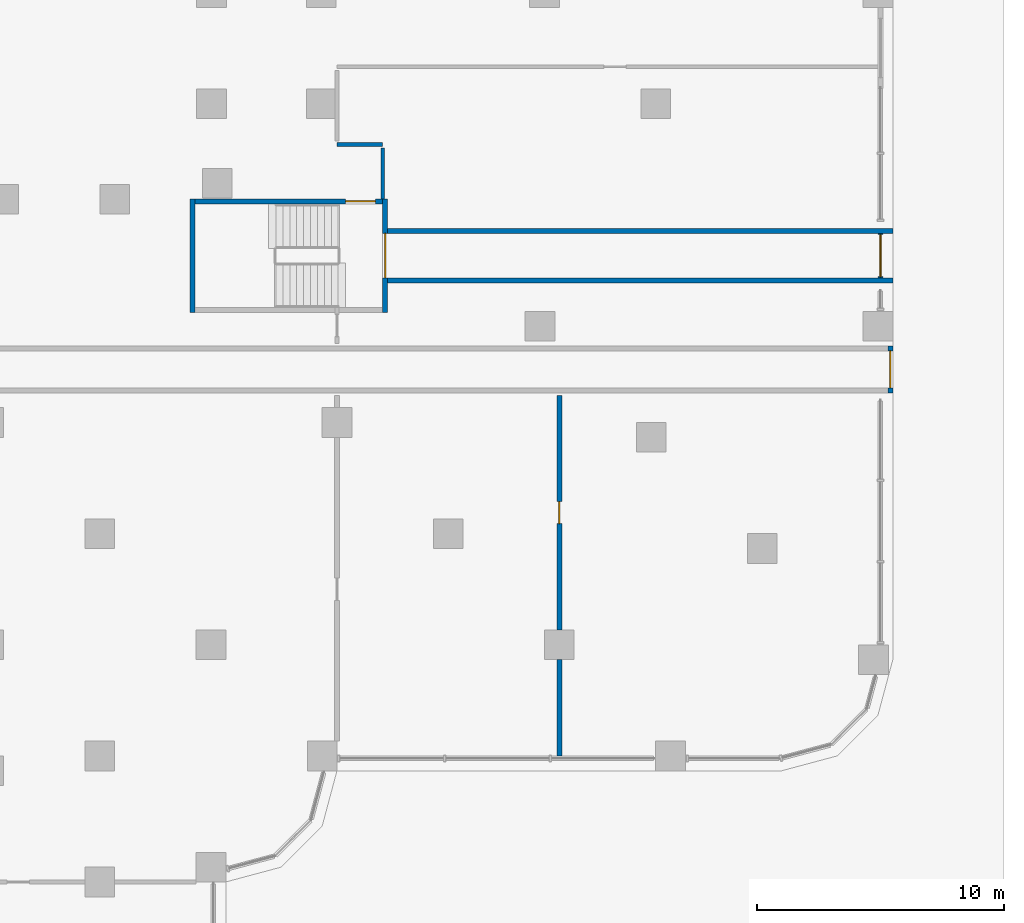
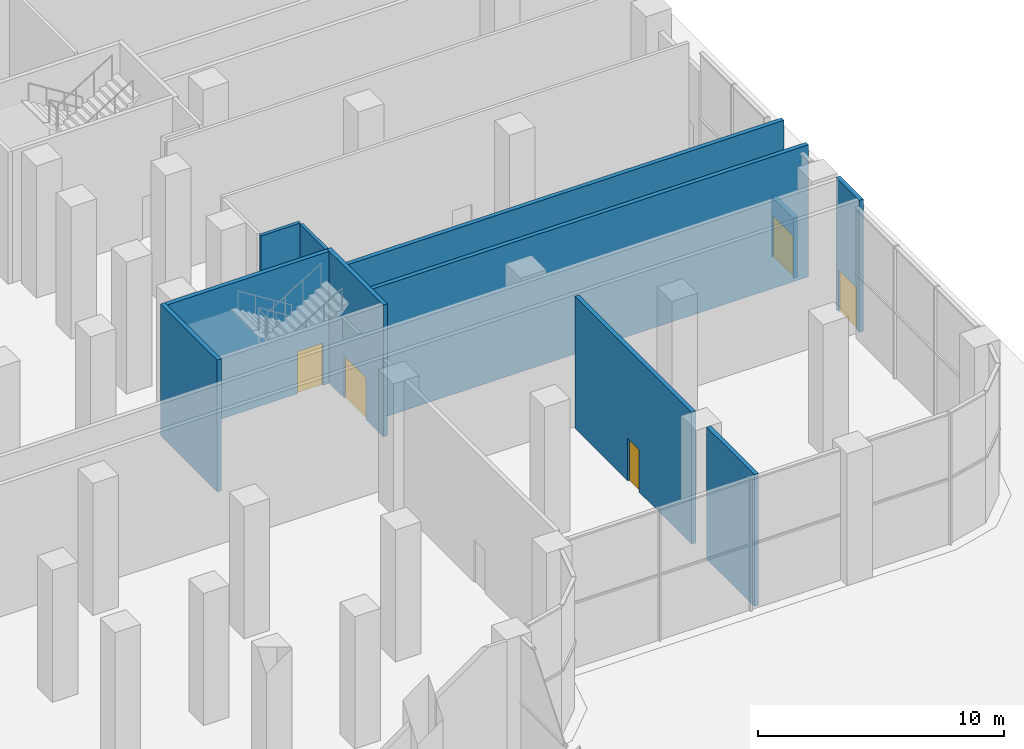
# One storey, part 23 of 34: 11 walls, 5 doors, 5 openings.
"""IFC4 building model written with IfcOpenShell, lengths in metres."""

from ifc_helpers import new_model, si_unit, direction, frame, frame_2d, origin, place, context, subcontext, project, spatial, rectangle, extrude, material, layer, layer_set, type_object, element, fill, save


model = new_model("IFC4")

# Units and contexts
model_context = context("Model", 3, precision=1e-05, world=origin(), true_north=direction((0.0, 1.0)))
body_context = subcontext(model_context, "Body", "Model", "MODEL_VIEW")
ifc_project = project(units=[si_unit("LENGTHUNIT", "METRE"), si_unit("AREAUNIT", "SQUARE_METRE"), si_unit("VOLUMEUNIT", "CUBIC_METRE"), si_unit("PLANEANGLEUNIT", "RADIAN"), si_unit("MASSUNIT", "GRAM", prefix="KILO")], contexts=[model_context])

# Site, building, storey
site_placement = place(None, origin())
site = spatial("IfcSite", under=ifc_project, at=site_placement, CompositionType="ELEMENT")
building_placement = place(site_placement, origin())
building = spatial("IfcBuilding", under=site, at=building_placement, Name="Zarbagh Exchange Tower", CompositionType="ELEMENT")
storey_placement = place(building_placement, origin())
storey = spatial("IfcBuildingStorey", under=building, at=storey_placement, Name="L00", CompositionType="ELEMENT", Elevation=0.0)

# Walls
ifc_material_1 = material(Name="Plasterboard partition")
ifc_layer_1 = layer(ifc_material_1, 0.14990234375)
ifc_layer_set_1 = layer_set([ifc_layer_1], Name="Board partition 150")
wall_type_1 = type_object("IfcWallType", Name="Board partition 150", PredefinedType="PARTITIONING", material=ifc_layer_set_1)
wall_1_placement = place(storey_placement, frame((33.75, -3.89990234375, 0.0), z_axis=(0.0, 0.0, 1.0), x_axis=(1.0, 0.0, 0.0)))
element("IfcWall", 1, at=wall_1_placement, inside=storey, type_object=wall_type_1, Name="WL-L00-W007", PredefinedType="PARTITIONING", context=body_context, shape_type="SweptSolid", body=[
    extrude(rectangle(XDim=1.85009765625, YDim=0.14990234375, at=frame_2d((0.925048828125, 0.0))), origin(), (0.0, 0.0, 1.0), 6.550048828125),
])
wall_2_placement = place(storey_placement, frame((35.60009765625, -4.050048828125, 0.0), z_axis=(0.0, 0.0, 1.0), x_axis=(0.0, -1.0, 0.0)))
element("IfcWall", 2, at=wall_2_placement, inside=storey, type_object=wall_type_1, Name="WL-L00-W008", PredefinedType="PARTITIONING", context=body_context, shape_type="SweptSolid", body=[
    extrude(rectangle(XDim=2.050048828125, YDim=0.14990234375, at=frame_2d((1.02490234375, 0.0))), origin(), (0.0, 0.0, 1.0), 6.550048828125),
])
ifc_material_2 = material(Name="Concrete block partition", Category="concrete")
ifc_layer_2 = layer(ifc_material_2, 0.199951171875)
ifc_layer_set_2 = layer_set([ifc_layer_2], Name="Fire-rated block partition 200 EI 120")
wall_type_2 = type_object("IfcWallType", Name="Fire-rated block partition 200 EI 120", PredefinedType="PARTITIONING", material=ifc_layer_set_2)
wall_3_placement = place(storey_placement, frame((42.75, -28.64990234375, 0.0), z_axis=(0.0, 0.0, 1.0), x_axis=(0.0, 1.0, 0.0)))
element("IfcWall", 3, at=wall_3_placement, inside=storey, type_object=wall_type_2, Name="WL-L00-W029", PredefinedType="PARTITIONING", context=body_context, shape_type="SweptSolid", body=[
    extrude(rectangle(XDim=3.89990234375, YDim=0.199951171875, at=frame_2d((1.949951171875, 0.0))), origin(), (0.0, 0.0, 1.0), 6.550048828125),
])

# Wall, opening, door
wall_4_placement = place(storey_placement, frame((42.75, -14.050048828125, 0.0), z_axis=(0.0, 0.0, 1.0), x_axis=(0.0, -1.0, 0.0)))
wall_4 = element("IfcWall", 4, at=wall_4_placement, inside=storey, type_object=wall_type_2, Name="WL-L00-W030", PredefinedType="PARTITIONING", context=body_context, shape_type="SweptSolid", body=[
    extrude(rectangle(XDim=9.5, YDim=0.199951171875, at=frame_2d((4.75, 0.0))), origin(), (0.0, 0.0, 1.0), 6.550048828125),
])
opening_1_placement = place(wall_4_placement, frame((4.300048828125, 0.0, 0.0)))
opening_1 = element("IfcOpeningElement", 5, at=opening_1_placement, cuts=wall_4, Name="Opening D56", PredefinedType="OPENING", context=body_context, shape_type="SweptSolid", body=[
    extrude(rectangle(XDim=0.89990234375, YDim=2.10009765625, at=frame_2d((0.449951171875, 1.050048828125))), frame((0.0, 0.10986328125, 0.0), z_axis=(0.0, -1.0, 0.0), x_axis=(1.0, 0.0, 0.0)), (0.0, 0.0, 1.0), 0.219970703125),
])
ifc_material_3 = material(Name="Steel door set", Category="steel")
door_type_1 = type_object("IfcDoorType", Name="Door single 900x2100 EI 120", OperationType="SINGLE_SWING_LEFT", PredefinedType="DOOR", material=ifc_material_3)
door_1_placement = place(opening_1_placement, origin())
door_1 = element("IfcDoor", 6, at=door_1_placement, inside=storey, type_object=door_type_1, Name="D12", OperationType="SINGLE_SWING_LEFT", OverallHeight=2.10009765625, OverallWidth=0.89990234375, PredefinedType="DOOR", context=body_context, shape_type="SweptSolid", body=[
    extrude(rectangle(XDim=0.89990234375, YDim=2.10009765625, at=frame_2d((0.449951171875, 1.050048828125))), frame((0.0, 0.02490234375, 0.0), z_axis=(0.0, -1.0, 0.0), x_axis=(1.0, 0.0, 0.0)), (0.0, 0.0, 1.0), 0.050048828125),
])
fill(opening_1, door_1)

ifc_material_4 = material(Name="Dense blockwork", Category="masonry")
ifc_layer_3 = layer(ifc_material_4, 0.199951171875)
ifc_layer_set_3 = layer_set([ifc_layer_3], Name="Shaft wall 200 mm blockwork")
wall_type_3 = type_object("IfcWallType", Name="Shaft wall 200 mm blockwork", PredefinedType="PARTITIONING", material=ifc_layer_set_3)
wall_5_placement = place(storey_placement, frame((56.14990234375, -12.050048828125, 0.0), z_axis=(0.0, 0.0, 1.0), x_axis=(0.0, -1.0, 0.0)))
wall_5 = element("IfcWall", 7, at=wall_5_placement, inside=storey, type_object=wall_type_3, Name="Exit passage ST4 wall E", PredefinedType="PARTITIONING", context=body_context, shape_type="SweptSolid", body=[
    extrude(rectangle(XDim=1.89990234375, YDim=0.199951171875, at=frame_2d((0.949951171875, 0.0))), origin(), (0.0, 0.0, 1.0), 6.550048828125),
])
opening_2_placement = place(wall_5_placement, frame((0.199951171875, 0.0, 0.0)))
opening_2 = element("IfcOpeningElement", 8, at=opening_2_placement, cuts=wall_5, Name="Opening XD1-1500", PredefinedType="OPENING", context=body_context, shape_type="SweptSolid", body=[
    extrude(rectangle(XDim=1.5, YDim=2.10009765625, at=frame_2d((0.75, 1.050048828125))), frame((0.0, 0.10986328125, 0.0), z_axis=(0.0, -1.0, 0.0), x_axis=(1.0, 0.0, 0.0)), (0.0, 0.0, 1.0), 0.219970703125),
])
ifc_material_5 = material(Name="Steel", Category="steel")
door_type_2 = type_object("IfcDoorType", Name="Exit passage double door 1500 x 2100", OperationType="NOTDEFINED", PredefinedType="DOOR", material=ifc_material_5)
door_2_placement = place(opening_2_placement, origin())
door_2 = element("IfcDoor", 9, at=door_2_placement, inside=storey, type_object=door_type_2, Name="Exit passage ST4 door", OperationType="DOUBLE_DOOR_DOUBLE_SWING", OverallHeight=2.10009765625, OverallWidth=1.5, PredefinedType="DOOR", context=body_context, shape_type="SweptSolid", body=[
    extrude(rectangle(XDim=1.5, YDim=2.10009765625, at=frame_2d((0.75, 1.050048828125))), frame((0.0, 0.02490234375, 0.0), z_axis=(0.0, -1.0, 0.0), x_axis=(1.0, 0.0, 0.0)), (0.0, 0.0, 1.0), 0.050048828125),
])
fill(opening_2, door_2)

# Walls
for number, where, z_axis, x_axis, name in (
    (10, (35.60009765625, -9.39990234375, 0.0), (0.0, 0.0, 1.0), (1.0, 0.0, 0.0), "Exit passage PS6 wall A"),
    (11, (35.60009765625, -7.39990234375, 0.0), (0.0, 0.0, 1.0), (1.0, 0.0, 0.0), "Exit passage PS6 wall B"),
):
    element("IfcWall", number, at=place(storey_placement, frame(where, z_axis=z_axis, x_axis=x_axis)), inside=storey, type_object=wall_type_3, Name=name, PredefinedType="PARTITIONING", context=body_context, shape_type="SweptSolid", body=[
        extrude(rectangle(XDim=20.64990234375, YDim=0.199951171875, at=frame_2d((10.324951171875, 0.0))), origin(), (0.0, 0.0, 1.0), 6.550048828125),
    ])
ifc_material_6 = material(Name="Concrete C40/50", Category="concrete")
ifc_layer_4 = layer(ifc_material_6, 0.199951171875)
ifc_layer_set_4 = layer_set([ifc_layer_4], Name="Stair enclosure wall 200 mm RC C40/50")
wall_type_4 = type_object("IfcWallType", Name="Stair enclosure wall 200 mm RC C40/50", PredefinedType="SHEAR", material=ifc_layer_set_4)
wall_6_placement = place(storey_placement, frame((27.89990234375, -10.699951171875, 0.0), z_axis=(0.0, 0.0, 1.0), x_axis=(0.0, 1.0, 0.0)))
element("IfcWall", 12, at=wall_6_placement, inside=storey, type_object=wall_type_4, Name="Exit stair PS6 enclosure wall W", PredefinedType="SHEAR", context=body_context, shape_type="SweptSolid", body=[
    extrude(rectangle(XDim=4.599853515625, YDim=0.199951171875, at=frame_2d((2.2998046875, 0.0))), origin(), (0.0, 0.0, 1.0), 6.550048828125),
])

# Wall, opening, door
wall_7_placement = place(storey_placement, frame((35.699951171875, -10.699951171875, 0.0), z_axis=(0.0, 0.0, 1.0), x_axis=(0.0, 1.0, 0.0)))
wall_7 = element("IfcWall", 13, at=wall_7_placement, inside=storey, type_object=wall_type_4, Name="Exit stair PS6 enclosure wall E", PredefinedType="SHEAR", context=body_context, shape_type="SweptSolid", body=[
    extrude(rectangle(XDim=4.599853515625, YDim=0.199951171875, at=frame_2d((2.2998046875, 0.0))), origin(), (0.0, 0.0, 1.0), 6.550048828125),
])
opening_3_placement = place(wall_7_placement, frame((1.39990234375, 0.0, 0.0)))
opening_3 = element("IfcOpeningElement", 14, at=opening_3_placement, cuts=wall_7, Name="Opening XD2-1800", PredefinedType="OPENING", context=body_context, shape_type="SweptSolid", body=[
    extrude(rectangle(XDim=1.800048828125, YDim=2.10009765625, at=frame_2d((0.89990234375, 1.050048828125))), frame((0.0, 0.10986328125, 0.0), z_axis=(0.0, -1.0, 0.0), x_axis=(1.0, 0.0, 0.0)), (0.0, 0.0, 1.0), 0.219970703125),
])
door_type_3 = type_object("IfcDoorType", Name="Exit stair discharge door 1800 x 2100", OperationType="NOTDEFINED", PredefinedType="DOOR", material=ifc_material_5)
door_3_placement = place(opening_3_placement, origin())
door_3 = element("IfcDoor", 15, at=door_3_placement, inside=storey, type_object=door_type_3, Name="Exit stair PS6 discharge door", OperationType="DOUBLE_DOOR_SINGLE_SWING", OverallHeight=2.10009765625, OverallWidth=1.800048828125, PredefinedType="DOOR", context=body_context, shape_type="SweptSolid", body=[
    extrude(rectangle(XDim=1.800048828125, YDim=2.10009765625, at=frame_2d((0.89990234375, 1.050048828125))), frame((0.0, 0.02490234375, 0.0), z_axis=(0.0, -1.0, 0.0), x_axis=(1.0, 0.0, 0.0)), (0.0, 0.0, 1.0), 0.050048828125),
])
fill(opening_3, door_3)

wall_8_placement = place(storey_placement, frame((28.0, -6.199951171875, 0.0), z_axis=(0.0, 0.0, 1.0), x_axis=(1.0, 0.0, 0.0)))
wall_8 = element("IfcWall", 16, at=wall_8_placement, inside=storey, type_object=wall_type_4, Name="Exit stair PS6 enclosure wall N", PredefinedType="SHEAR", context=body_context, shape_type="SweptSolid", body=[
    extrude(rectangle(XDim=7.60009765625, YDim=0.199951171875, at=frame_2d((3.800048828125, 0.0))), origin(), (0.0, 0.0, 1.0), 6.550048828125),
])
opening_4_placement = place(wall_8_placement, frame((6.10009765625, 0.0, 0.0)))
opening_4 = element("IfcOpeningElement", 17, at=opening_4_placement, cuts=wall_8, Name="Opening SD1-1200", PredefinedType="OPENING", context=body_context, shape_type="SweptSolid", body=[
    extrude(rectangle(XDim=1.199951171875, YDim=2.10009765625, at=frame_2d((0.60009765625, 1.050048828125))), frame((0.0, 0.10986328125, 0.0), z_axis=(0.0, -1.0, 0.0), x_axis=(1.0, 0.0, 0.0)), (0.0, 0.0, 1.0), 0.219970703125),
])
door_type_4 = type_object("IfcDoorType", Name="Exit stair door 1200 x 2100", OperationType="NOTDEFINED", PredefinedType="DOOR", material=ifc_material_5)
door_4_placement = place(opening_4_placement, origin())
door_4 = element("IfcDoor", 18, at=door_4_placement, inside=storey, type_object=door_type_4, Name="Exit stair PS6 entry door", OperationType="SINGLE_SWING_RIGHT", OverallHeight=2.10009765625, OverallWidth=1.199951171875, PredefinedType="DOOR", context=body_context, shape_type="SweptSolid", body=[
    extrude(rectangle(XDim=1.199951171875, YDim=2.10009765625, at=frame_2d((0.60009765625, 1.050048828125))), frame((0.0, 0.02490234375, 0.0), z_axis=(0.0, -1.0, 0.0), x_axis=(1.0, 0.0, 0.0)), (0.0, 0.0, 1.0), 0.050048828125),
])
fill(opening_4, door_4)

ifc_material_7 = material(Name="Precast concrete C50/60", Category="concrete")
ifc_layer_5 = layer(ifc_material_7, 0.199951171875)
ifc_layer_set_5 = layer_set([ifc_layer_5], Name="Terrace door wall, precast concrete C50/60")
wall_type_5 = type_object("IfcWallType", Name="Terrace door wall, precast concrete C50/60", PredefinedType="SOLIDWALL", material=ifc_layer_set_5)
wall_9_placement = place(storey_placement, frame((55.75, -7.5, 0.0), z_axis=(0.0, 0.0, 1.0), x_axis=(0.0, -1.0, 0.0)))
wall_9 = element("IfcWall", 19, at=wall_9_placement, inside=storey, type_object=wall_type_5, Name="XW02 stair discharge wall", PredefinedType="SOLIDWALL", context=body_context, shape_type="SweptSolid", body=[
    extrude(rectangle(XDim=1.800048828125, YDim=0.199951171875, at=frame_2d((0.89990234375, 0.0))), origin(), (0.0, 0.0, 1.0), 3.0),
])
opening_5_placement = place(wall_9_placement, frame((0.050048828125, 0.0, 0.0)))
opening_5 = element("IfcOpeningElement", 20, at=opening_5_placement, cuts=wall_9, Name="Opening XD02", PredefinedType="OPENING", context=body_context, shape_type="SweptSolid", body=[
    extrude(rectangle(XDim=1.699951171875, YDim=2.10009765625, at=frame_2d((0.85009765625, 1.050048828125))), frame((0.0, 0.10986328125, 0.0), z_axis=(0.0, -1.0, 0.0), x_axis=(1.0, 0.0, 0.0)), (0.0, 0.0, 1.0), 0.219970703125),
])
ifc_material_8 = material(Name="Galvanised steel", Category="steel")
door_type_5 = type_object("IfcDoorType", Name="Stair discharge door, double leaf, steel", OperationType="DOUBLE_DOOR_DOUBLE_SWING", PredefinedType="DOOR", material=ifc_material_8)
door_5_placement = place(opening_5_placement, origin())
door_5 = element("IfcDoor", 21, at=door_5_placement, inside=storey, type_object=door_type_5, Name="XD02 stair discharge door", OperationType="SINGLE_SWING_LEFT", OverallHeight=2.10009765625, OverallWidth=1.699951171875, PredefinedType="DOOR", context=body_context, shape_type="SweptSolid", body=[
    extrude(rectangle(XDim=1.699951171875, YDim=2.10009765625, at=frame_2d((0.85009765625, 1.050048828125))), frame((0.0, 0.02490234375, 0.0), z_axis=(0.0, -1.0, 0.0), x_axis=(1.0, 0.0, 0.0)), (0.0, 0.0, 1.0), 0.050048828125),
])
fill(opening_5, door_5)

save(model, "model.ifc")
